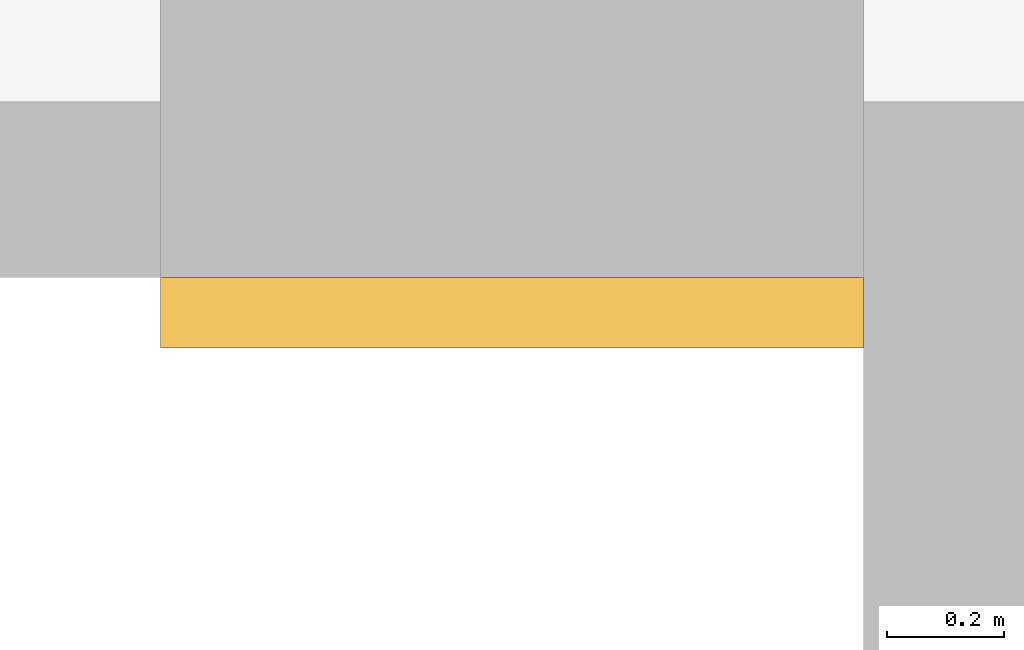
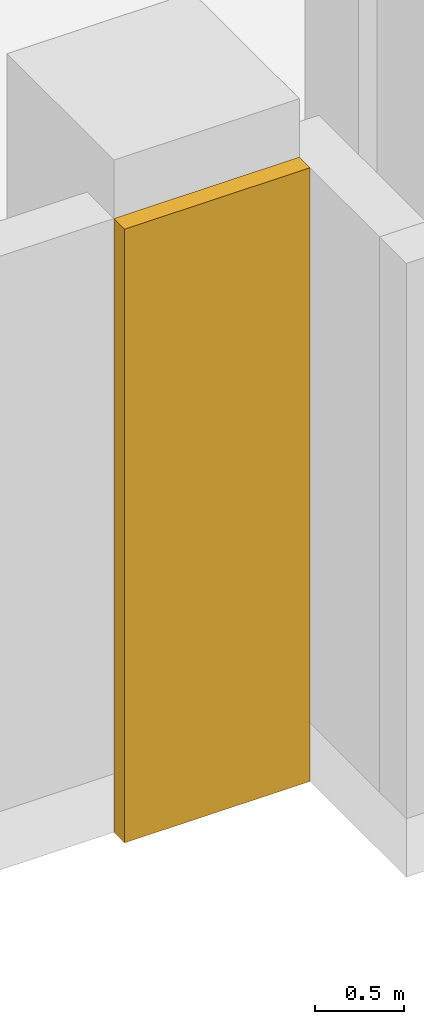
# One storey, part 18 of 18: 1 covering.
"""IFC4 building model written with IfcOpenShell, lengths in metres."""

from ifc_helpers import new_model, si_unit, direction, frame, origin, origin_2d, place, context, subcontext, project, spatial, rectangle, extrude, source, transform, mapped, material, type_object, element, save


model = new_model("IFC4")

# Units and contexts
model_context = context("Model", 3, precision=1e-05, world=origin(), true_north=direction((0.0, 1.0)))
body_context = subcontext(model_context, "Body", "Model", "MODEL_VIEW")
ifc_project = project(units=[si_unit("LENGTHUNIT", "METRE"), si_unit("AREAUNIT", "SQUARE_METRE"), si_unit("VOLUMEUNIT", "CUBIC_METRE"), si_unit("PLANEANGLEUNIT", "RADIAN"), si_unit("MASSUNIT", "GRAM", prefix="KILO")], contexts=[model_context])

# Site, building, storey
site_placement = place(None, origin())
site = spatial("IfcSite", under=ifc_project, at=site_placement, CompositionType="ELEMENT")
building_placement = place(site_placement, origin())
building = spatial("IfcBuilding", under=site, at=building_placement, Name="Aurelian Terraces", CompositionType="ELEMENT")
storey_placement = place(building_placement, frame((0.0, 0.0, 99.3)))
storey = spatial("IfcBuildingStorey", under=building, at=storey_placement, Name="L21", CompositionType="ELEMENT", Elevation=99.3)

# Covering
ifc_material = material(Name="Terracotta rainscreen cladding relief", Category="masonry")
covering_type = type_object("IfcCoveringType", Name="BAGUETTE-TC", PredefinedType="CLADDING", material=ifc_material)
shared_shape = source(origin(), body_context, "Body", "SweptSolid", [
    extrude(rectangle(XDim=1.2, YDim=0.12, at=origin_2d()), origin(), (0.0, 0.0, 1.0), 4.2),
])
covering_placement = place(storey_placement, frame((63.84, -0.06, -0.4), z_axis=(0.0, 0.0, 1.0), x_axis=(1.0, 0.0, 0.0)))
element("IfcCovering", 1, at=covering_placement, inside=storey, type_object=covering_type, Name="BAGUETTE pier L21 4", PredefinedType="CLADDING", context=body_context, shape_type="MappedRepresentation", body=[
    mapped(shared_shape, transform((0.0, 0.0, 0.0), scale=1.0)),
])

save(model, "model.ifc")
